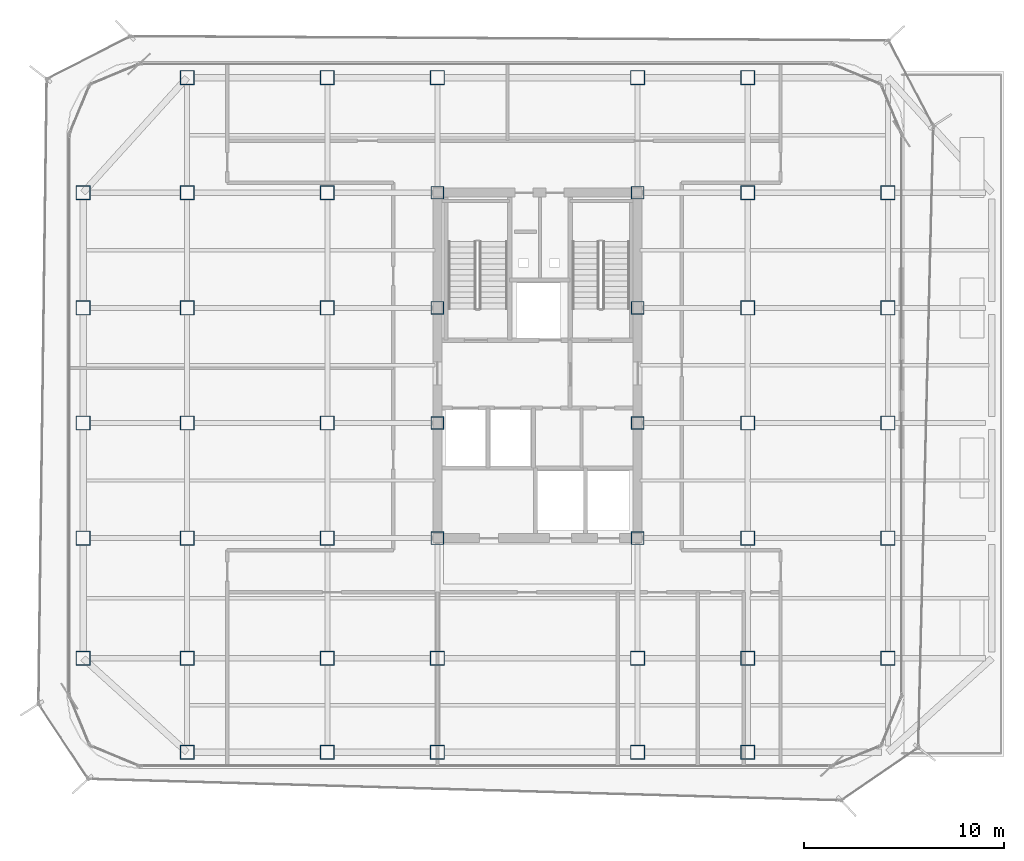
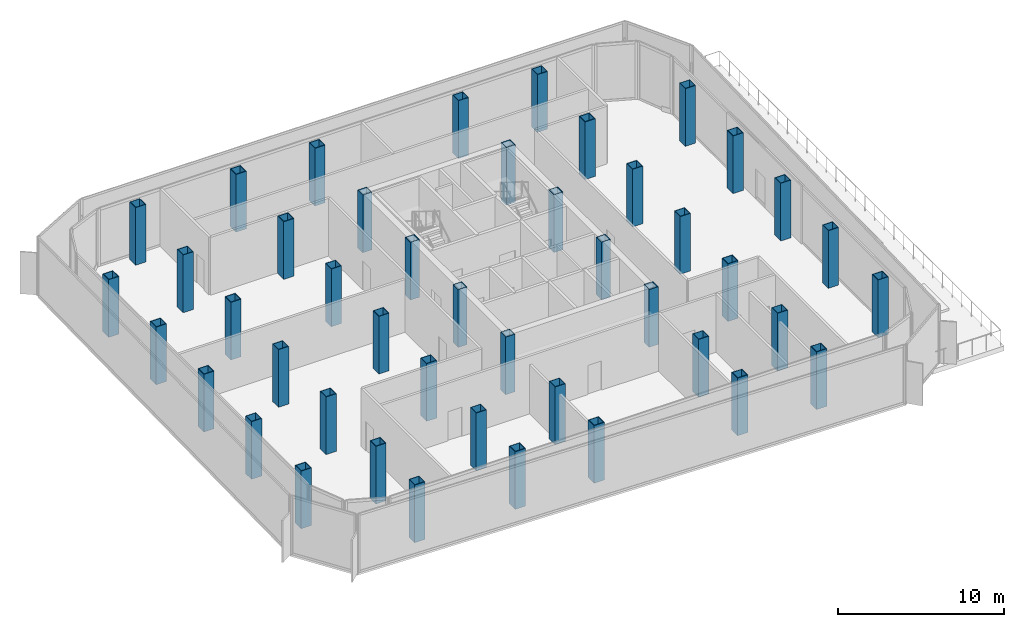
# One storey, part 1 of 14: 45 columns.
"""IFC4 building model written with IfcOpenShell, lengths in metres."""

from ifc_helpers import new_model, si_unit, direction, frame, origin, origin_2d, place, context, subcontext, project, spatial, hollow_rectangle, extrude, source, transform, mapped, material, material_profile, profile_set, type_object, element, save


model = new_model("IFC4")

# Units and contexts
model_context = context("Model", 3, precision=1e-05, world=origin(), true_north=direction((0.0, 1.0)))
body_context = subcontext(model_context, "Body", "Model", "MODEL_VIEW")
ifc_project = project(units=[si_unit("LENGTHUNIT", "METRE"), si_unit("AREAUNIT", "SQUARE_METRE"), si_unit("VOLUMEUNIT", "CUBIC_METRE"), si_unit("PLANEANGLEUNIT", "RADIAN"), si_unit("MASSUNIT", "GRAM", prefix="KILO")], contexts=[model_context])

# Site, building, storey
site_placement = place(None, origin())
site = spatial("IfcSite", under=ifc_project, at=site_placement, CompositionType="ELEMENT")
building_placement = place(site_placement, origin())
building = spatial("IfcBuilding", under=site, at=building_placement, Name="Kolveth Station Tower", CompositionType="ELEMENT")
storey_placement = place(building_placement, frame((0.0, 0.0, 151.60009765625)))
storey = spatial("IfcBuildingStorey", under=building, at=storey_placement, Name="L42", CompositionType="ELEMENT", Elevation=151.60009765625)

# Columns
ifc_material = material(Name="Steel S355", Category="steel")
ifc_material_profile_1 = material_profile(ifc_material, hollow_rectangle(XDim=0.719970703125, YDim=0.719970703125, WallThickness=0.0400390625, at=origin_2d()), Name="BOX720x720x40")
ifc_profile_set_1 = profile_set([ifc_material_profile_1], Name="Steel S355")
column_type_1 = type_object("IfcColumnType", Name="Col_C6", PredefinedType="COLUMN", material=ifc_profile_set_1)
shared_shape_1 = source(origin(), body_context, "Body", "SweptSolid", [
    extrude(hollow_rectangle(XDim=0.719970703125, YDim=0.719970703125, WallThickness=0.0400390625, at=origin_2d()), origin(), (0.0, 0.0, 1.0), 4.25),
])
for number, where, z_axis, x_axis, name in (
    (1, (6.0, 0.800048828125, 0.0), (0.0, 0.0, 1.0), (1.0, 0.0, 0.0), "L42 Tower Column S-X60"),
    (2, (6.0, 34.5, 0.0), (0.0, 0.0, 1.0), (1.0, 0.0, 0.0), "L42 Tower Column N-X60"),
    (3, (13.0, 0.800048828125, 0.0), (0.0, 0.0, 1.0), (1.0, 0.0, 0.0), "L42 Tower Column S-X130"),
    (4, (13.0, 34.5, 0.0), (0.0, 0.0, 1.0), (1.0, 0.0, 0.0), "L42 Tower Column N-X130"),
    (5, (18.5, 0.800048828125, 0.0), (0.0, 0.0, 1.0), (1.0, 0.0, 0.0), "L42 Tower Column S-X185"),
    (6, (18.5, 34.5, 0.0), (0.0, 0.0, 1.0), (1.0, 0.0, 0.0), "L42 Tower Column N-X185"),
    (7, (28.5, 0.800048828125, 0.0), (0.0, 0.0, 1.0), (1.0, 0.0, 0.0), "L42 Tower Column S-X285"),
    (8, (28.5, 34.5, 0.0), (0.0, 0.0, 1.0), (1.0, 0.0, 0.0), "L42 Tower Column N-X285"),
    (9, (34.0, 0.800048828125, 0.0), (0.0, 0.0, 1.0), (1.0, 0.0, 0.0), "L42 Tower Column S-X340"),
    (10, (34.0, 34.5, 0.0), (0.0, 0.0, 1.0), (1.0, 0.0, 0.0), "L42 Tower Column N-X340"),
    (11, (0.800048828125, 5.5, 0.0), (0.0, 0.0, 1.0), (1.0, 0.0, 0.0), "L42 Tower Column W-Y55"),
    (12, (41.0, 5.5, 0.0), (0.0, 0.0, 1.0), (1.0, 0.0, 0.0), "L42 Tower Column E-Y55"),
    (13, (0.800048828125, 11.5, 0.0), (0.0, 0.0, 1.0), (1.0, 0.0, 0.0), "L42 Tower Column W-Y115"),
    (14, (41.0, 11.5, 0.0), (0.0, 0.0, 1.0), (1.0, 0.0, 0.0), "L42 Tower Column E-Y115"),
    (15, (0.800048828125, 17.25, 0.0), (0.0, 0.0, 1.0), (1.0, 0.0, 0.0), "L42 Tower Column W-Y172"),
    (16, (41.0, 17.25, 0.0), (0.0, 0.0, 1.0), (1.0, 0.0, 0.0), "L42 Tower Column E-Y172"),
    (17, (0.800048828125, 23.0, 0.0), (0.0, 0.0, 1.0), (1.0, 0.0, 0.0), "L42 Tower Column W-Y230"),
    (18, (41.0, 23.0, 0.0), (0.0, 0.0, 1.0), (1.0, 0.0, 0.0), "L42 Tower Column E-Y230"),
    (19, (0.800048828125, 28.75, 0.0), (0.0, 0.0, 1.0), (1.0, 0.0, 0.0), "L42 Tower Column W-Y287"),
    (20, (41.0, 28.75, 0.0), (0.0, 0.0, 1.0), (1.0, 0.0, 0.0), "L42 Tower Column E-Y287"),
    (21, (6.0, 5.5, 0.0), (0.0, 0.0, 1.0), (1.0, 0.0, 0.0), "L42 Tower Column G-60-55"),
    (22, (6.0, 11.5, 0.0), (0.0, 0.0, 1.0), (1.0, 0.0, 0.0), "L42 Tower Column G-60-115"),
    (23, (6.0, 17.25, 0.0), (0.0, 0.0, 1.0), (1.0, 0.0, 0.0), "L42 Tower Column G-60-172"),
    (24, (6.0, 23.0, 0.0), (0.0, 0.0, 1.0), (1.0, 0.0, 0.0), "L42 Tower Column G-60-230"),
    (25, (6.0, 28.75, 0.0), (0.0, 0.0, 1.0), (1.0, 0.0, 0.0), "L42 Tower Column G-60-287"),
    (26, (13.0, 5.5, 0.0), (0.0, 0.0, 1.0), (1.0, 0.0, 0.0), "L42 Tower Column G-130-55"),
    (27, (13.0, 11.5, 0.0), (0.0, 0.0, 1.0), (1.0, 0.0, 0.0), "L42 Tower Column G-130-115"),
    (28, (13.0, 17.25, 0.0), (0.0, 0.0, 1.0), (1.0, 0.0, 0.0), "L42 Tower Column G-130-172"),
    (29, (13.0, 23.0, 0.0), (0.0, 0.0, 1.0), (1.0, 0.0, 0.0), "L42 Tower Column G-130-230"),
    (30, (13.0, 28.75, 0.0), (0.0, 0.0, 1.0), (1.0, 0.0, 0.0), "L42 Tower Column G-130-287"),
    (31, (18.5, 5.5, 0.0), (0.0, 0.0, 1.0), (1.0, 0.0, 0.0), "L42 Tower Column G-185-55"),
    (32, (28.5, 5.5, 0.0), (0.0, 0.0, 1.0), (1.0, 0.0, 0.0), "L42 Tower Column G-285-55"),
    (33, (34.0, 5.5, 0.0), (0.0, 0.0, 1.0), (1.0, 0.0, 0.0), "L42 Tower Column G-340-55"),
    (34, (34.0, 11.5, 0.0), (0.0, 0.0, 1.0), (1.0, 0.0, 0.0), "L42 Tower Column G-340-115"),
    (35, (34.0, 17.25, 0.0), (0.0, 0.0, 1.0), (1.0, 0.0, 0.0), "L42 Tower Column G-340-172"),
    (36, (34.0, 23.0, 0.0), (0.0, 0.0, 1.0), (1.0, 0.0, 0.0), "L42 Tower Column G-340-230"),
    (37, (34.0, 28.75, 0.0), (0.0, 0.0, 1.0), (1.0, 0.0, 0.0), "L42 Tower Column G-340-287"),
):
    element("IfcColumn", number, at=place(storey_placement, frame(where, z_axis=z_axis, x_axis=x_axis)), inside=storey, type_object=column_type_1, Name=name, PredefinedType="COLUMN", context=body_context, shape_type="MappedRepresentation", body=[
        mapped(shared_shape_1, transform((0.0, 0.0, 0.0), x_axis=(1.0, 0.0, 0.0), y_axis=(0.0, 1.0, 0.0), z_axis=(0.0, 0.0, 1.0), scale=1.0)),
    ])
ifc_material_profile_2 = material_profile(ifc_material, hollow_rectangle(XDim=0.639892578125, YDim=0.639892578125, WallThickness=0.034912109375, at=origin_2d()), Name="BOX640x640x35")
ifc_profile_set_2 = profile_set([ifc_material_profile_2], Name="Steel S355")
column_type_2 = type_object("IfcColumnType", Name="Col_C7", PredefinedType="COLUMN", material=ifc_profile_set_2)
shared_shape_2 = source(origin(), body_context, "Body", "SweptSolid", [
    extrude(hollow_rectangle(XDim=0.639892578125, YDim=0.639892578125, WallThickness=0.034912109375, at=origin_2d()), origin(), (0.0, 0.0, 1.0), 4.25),
])
for number, where, z_axis, x_axis, name in (
    (38, (18.5, 11.5, 0.0), (0.0, 0.0, 1.0), (1.0, 0.0, 0.0), "L42 Tower Column G-185-115"),
    (39, (18.5, 17.25, 0.0), (0.0, 0.0, 1.0), (1.0, 0.0, 0.0), "L42 Tower Column G-185-172"),
    (40, (18.5, 23.0, 0.0), (0.0, 0.0, 1.0), (1.0, 0.0, 0.0), "L42 Tower Column G-185-230"),
    (41, (18.5, 28.75, 0.0), (0.0, 0.0, 1.0), (1.0, 0.0, 0.0), "L42 Tower Column G-185-287"),
    (42, (28.5, 11.5, 0.0), (0.0, 0.0, 1.0), (1.0, 0.0, 0.0), "L42 Tower Column G-285-115"),
    (43, (28.5, 17.25, 0.0), (0.0, 0.0, 1.0), (1.0, 0.0, 0.0), "L42 Tower Column G-285-172"),
    (44, (28.5, 23.0, 0.0), (0.0, 0.0, 1.0), (1.0, 0.0, 0.0), "L42 Tower Column G-285-230"),
    (45, (28.5, 28.75, 0.0), (0.0, 0.0, 1.0), (1.0, 0.0, 0.0), "L42 Tower Column G-285-287"),
):
    element("IfcColumn", number, at=place(storey_placement, frame(where, z_axis=z_axis, x_axis=x_axis)), inside=storey, type_object=column_type_2, Name=name, PredefinedType="COLUMN", context=body_context, shape_type="MappedRepresentation", body=[
        mapped(shared_shape_2, transform((0.0, 0.0, 0.0), x_axis=(1.0, 0.0, 0.0), y_axis=(0.0, 1.0, 0.0), z_axis=(0.0, 0.0, 1.0), scale=1.0)),
    ])

save(model, "model.ifc")
